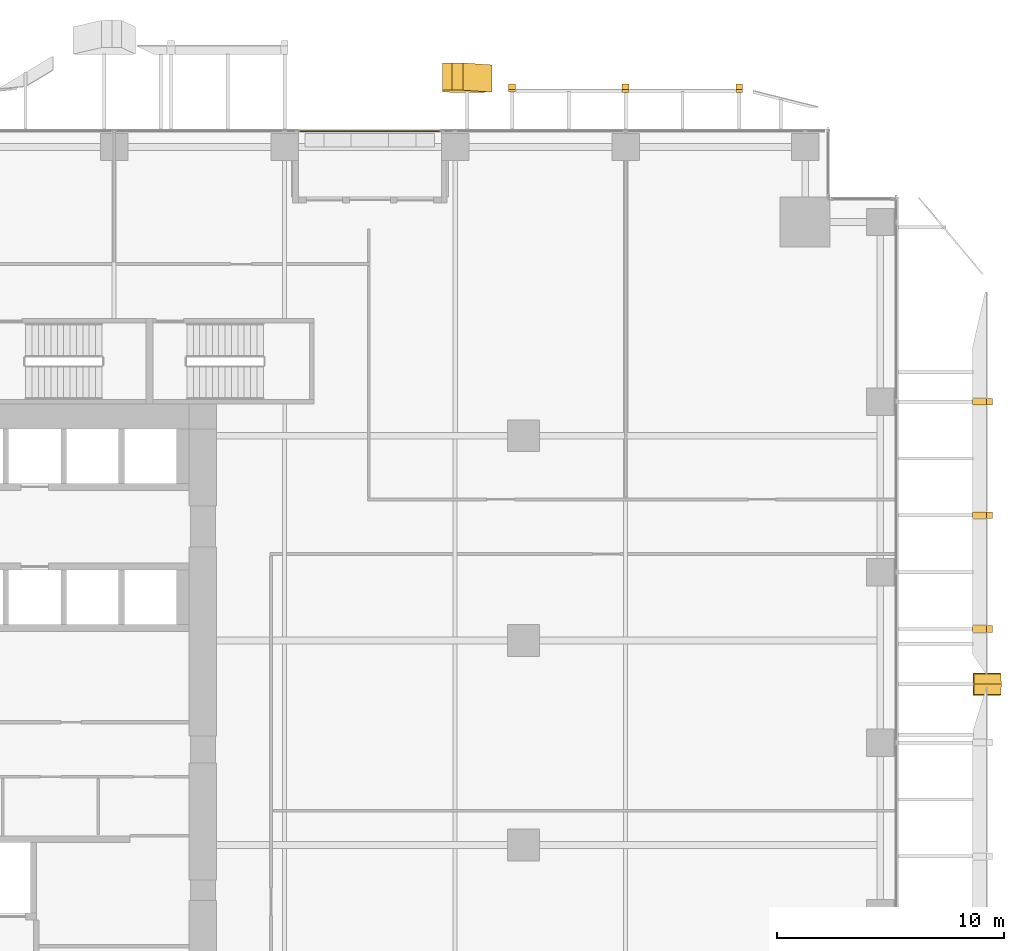
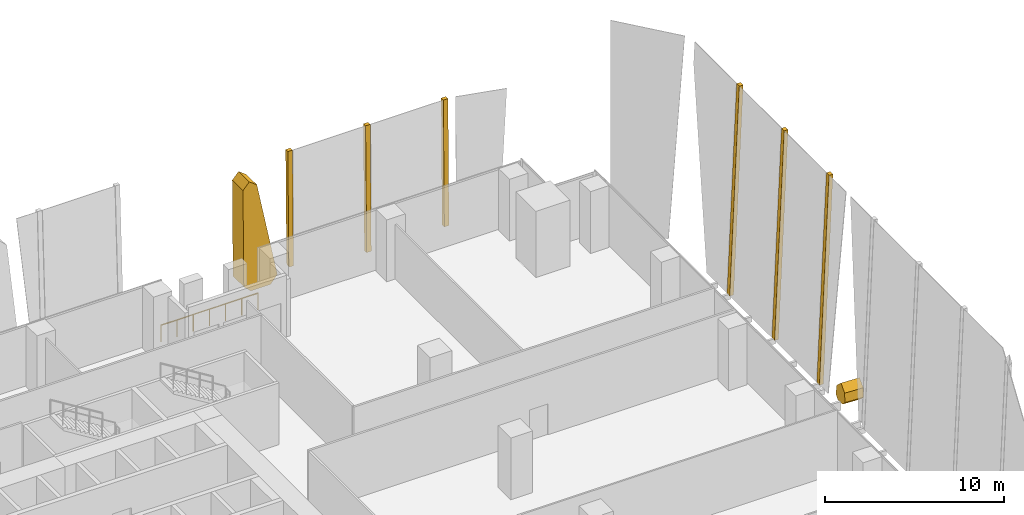
# One storey, part 34 of 35: 8 coverings, 1 railing.
"""IFC4 building model written with IfcOpenShell, lengths in metres."""

from ifc_helpers import new_model, si_unit, direction, frame, origin, origin_2d, place, context, subcontext, project, spatial, polyline, circle, outline, extrude, source, transform, mapped, material, layer, layer_set, type_object, element, save


model = new_model("IFC4")

# Units and contexts
model_context = context("Model", 3, precision=1e-05, world=origin(), true_north=direction((0.0, 1.0)))
body_context = subcontext(model_context, "Body", "Model", "MODEL_VIEW")
ifc_project = project(units=[si_unit("LENGTHUNIT", "METRE"), si_unit("AREAUNIT", "SQUARE_METRE"), si_unit("VOLUMEUNIT", "CUBIC_METRE"), si_unit("PLANEANGLEUNIT", "RADIAN"), si_unit("MASSUNIT", "GRAM", prefix="KILO")], contexts=[model_context])

# Site, building, storey
site_placement = place(None, origin())
site = spatial("IfcSite", under=ifc_project, at=site_placement, CompositionType="ELEMENT")
building_placement = place(site_placement, origin())
building = spatial("IfcBuilding", under=site, at=building_placement, Name="Khomas Fold Tower", CompositionType="ELEMENT")
storey_placement = place(building_placement, frame((0.0, 0.0, 87.0)))
storey = spatial("IfcBuildingStorey", under=building, at=storey_placement, Name="L18", CompositionType="ELEMENT", Elevation=87.0)

# Coverings
ifc_material_1 = material(Name="Natural stone cladding", Category="masonry")
ifc_layer_1 = layer(ifc_material_1, 0.25)
ifc_layer_set_1 = layer_set([ifc_layer_1], Name="Natural stone cladding")
covering_type_1 = type_object("IfcCoveringType", Name="SK-Karibib marble stone mullion", PredefinedType="CLADDING", material=ifc_layer_set_1)
for number, where, z_axis, x_axis, name in (
    (1, (57.264892578125, 31.85009765625, 0.0), (-0.999041889432, 0.0, 0.043764176671), (0.043764176671, 0.0, 0.999041889432), "OUTER SKIN mullion L18 EM104-12"),
    (2, (57.264892578125, 36.85009765625, 0.0), (-0.999041889432, 0.0, 0.043764176671), (0.043764176671, 0.0, 0.999041889432), "OUTER SKIN mullion L18 EM105-14"),
    (3, (57.264892578125, 41.85009765625, 0.0), (-0.999041889432, 0.0, 0.043764176671), (0.043764176671, 0.0, 0.999041889432), "OUTER SKIN mullion L18 EM106-16"),
):
    element("IfcCovering", number, at=place(storey_placement, frame(where, z_axis=z_axis, x_axis=x_axis)), inside=storey, type_object=covering_type_1, Name=name, PredefinedType="CLADDING", context=body_context, shape_type="SweptSolid", body=[
        extrude(outline(polyline([(0.0, 0.0), (14.06352323836003, 0.0), (14.06352323836003, 0.2998046875), (0.0, 0.2998046875), (0.0, 0.0)])), origin(), (0.0, 0.0, -1.0), 0.25),
    ])
covering_1_placement = place(storey_placement, frame((36.85009765625, 55.721923828125, 8.550048828125), z_axis=(7.7049925e-05, -0.999913595869, 0.013145145892), x_axis=(0.999999997032, 7.7043268e-05, -1.012833e-06)))
element("IfcCovering", 4, at=covering_1_placement, inside=storey, type_object=covering_type_1, Name="OUTER SKIN mullion L18 NM105-11", PredefinedType="CLADDING", context=body_context, shape_type="SweptSolid", body=[
    extrude(outline(polyline([(0.0, 0.0), (0.29980468661007614, -6.348611201344487e-23), (0.2998046868086422, -7.800722785772221), (0.03344726572428304, -7.800722785772221), (-3.3611294736046726e-09, -7.630054350249713), (0.0, 0.0)])), origin(), (0.0, 0.0, -1.0), 0.25),
])
for number, where, z_axis, x_axis, name in (
    (5, (42.14990234375, 55.721923828125, 8.550048828125), (0.0, -0.999913371991, 0.013162390123), (0.0, -0.013162390123, -0.999913371991), "OUTER SKIN mullion L18 NM106-13"),
    (6, (47.14990234375, 55.721923828125, 8.550048828125), (0.0, -0.999913371991, 0.013162390123), (0.0, -0.013162390123, -0.999913371991), "OUTER SKIN mullion L18 NM107-15"),
):
    element("IfcCovering", number, at=place(storey_placement, frame(where, z_axis=z_axis, x_axis=x_axis)), inside=storey, type_object=covering_type_1, Name=name, PredefinedType="CLADDING", context=body_context, shape_type="SweptSolid", body=[
        extrude(outline(polyline([(0.0, 0.0), (8.550789566001143, 0.0), (8.550789566001143, -0.2998046875), (0.0, -0.2998046875), (0.0, 0.0)])), origin(), (0.0, 0.0, -1.0), 0.25),
    ])
ifc_material_2 = material(Name="Natural stone cladding", Category="masonry")
ifc_layer_2 = layer(ifc_material_2, 1.199951171875)
ifc_layer_set_2 = layer_set([ifc_layer_2], Name="Natural stone cladding")
covering_type_2 = type_object("IfcCoveringType", Name="SK-Karibib marble stone panel", PredefinedType="CLADDING", material=ifc_layer_set_2)
covering_2_placement = place(storey_placement, frame((57.312744140625, 29.12060546875, 1.092529296875), z_axis=(-0.999040402966, 4.260327e-06, 0.043798096114), x_axis=(0.029355017323, 0.742214061197, 0.66951965641)))
element("IfcCovering", 7, at=covering_2_placement, inside=storey, type_object=covering_type_2, Name="OUTER SKIN leaf L18 ES06-2", PredefinedType="CLADDING", context=body_context, shape_type="SweptSolid", body=[
    extrude(outline(polyline([(0.0, 0.0), (0.6111623391428616, 0.0), (0.6583935694997737, 0.6096246796864846), (0.28405333097280133, 1.0832280064698458), (-0.029531293209369425, 1.1095783573106404), (-0.44267779211809566, 0.7365384722658525), (-0.4442852159738006, 0.4104483287012173), (0.0, 0.0)])), origin(), (0.0, 0.0, -1.0), 1.199951171875),
])
covering_3_placement = place(storey_placement, frame((33.949951171875, 55.615478515625, 0.449951171875), z_axis=(-2.372341e-05, -0.999913585615, 0.013146130229), x_axis=(7.59e-10, 0.013146130232, 0.999913585896)))
element("IfcCovering", 8, at=covering_3_placement, inside=storey, type_object=covering_type_2, Name="OUTER SKIN leaf L18 NS08-2", PredefinedType="CLADDING", context=body_context, shape_type="SweptSolid", body=[
    extrude(outline(polyline([(0.0, 0.0), (6.478584458372114, -4.235164736271502e-22), (6.926620820312955, -0.4064941408956258), (6.565018819415066, -0.8916015601804209), (0.08643115250189744, -2.1601562531147995), (-0.44999252605392615, -1.718505863690109), (-0.44999252701732334, -0.44995117654708056), (0.0, 0.0)])), origin(), (0.0, 0.0, -1.0), 1.199951171875),
])

# Railing
ifc_material_3 = material(Name="Powder-coated steel", Category="steel")
railing_type = type_object("IfcRailingType", Name="Balcony guard", PredefinedType="GUARDRAIL", material=ifc_material_3)
shared_shape = source(origin(), body_context, "Body", "SweptSolid", [
    extrude(circle(Radius=0.02490234375, at=origin_2d()), frame((0.0, 0.0, 1.125), z_axis=(1.0, 0.0, 0.0), x_axis=(0.0, 1.0, 0.0)), (0.0, 0.0, 1.0), 6.240234375),
    extrude(circle(Radius=0.02001953125, at=origin_2d()), origin(), (0.0, 0.0, 1.0), 1.099853515625),
    extrude(circle(Radius=0.02001953125, at=origin_2d()), frame((1.0400390625, 0.0, 0.0)), (0.0, 0.0, 1.0), 1.099853515625),
    extrude(circle(Radius=0.02001953125, at=origin_2d()), frame((2.080078125, 0.0, 0.0)), (0.0, 0.0, 1.0), 1.099853515625),
    extrude(circle(Radius=0.02001953125, at=origin_2d()), frame((3.1201171875, 0.0, 0.0)), (0.0, 0.0, 1.0), 1.099853515625),
    extrude(circle(Radius=0.02001953125, at=origin_2d()), frame((4.16015625, 0.0, 0.0)), (0.0, 0.0, 1.0), 1.099853515625),
    extrude(circle(Radius=0.02001953125, at=origin_2d()), frame((5.2001953125, 0.0, 0.0)), (0.0, 0.0, 1.0), 1.099853515625),
    extrude(circle(Radius=0.02001953125, at=origin_2d()), frame((6.240234375, 0.0, 0.0)), (0.0, 0.0, 1.0), 1.099853515625),
])
railing_placement = place(storey_placement, frame((27.6298828125, 53.89990234375, -0.044921875)))
element("IfcRailing", 9, at=railing_placement, inside=storey, type_object=railing_type, Name="Balcony guard BAL-L18-N3", PredefinedType="GUARDRAIL", context=body_context, shape_type="MappedRepresentation", body=[
    mapped(shared_shape, transform((0.0, 0.0, 0.0))),
])

save(model, "model.ifc")
